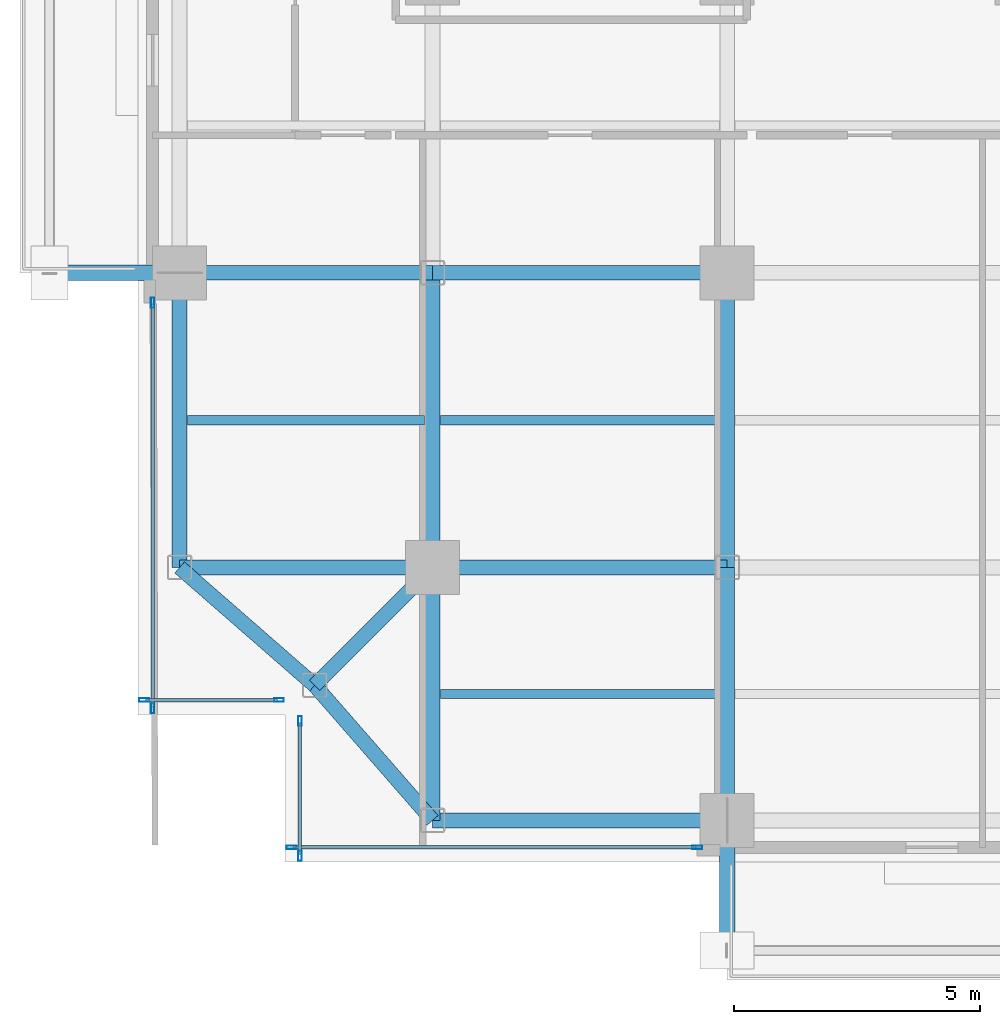
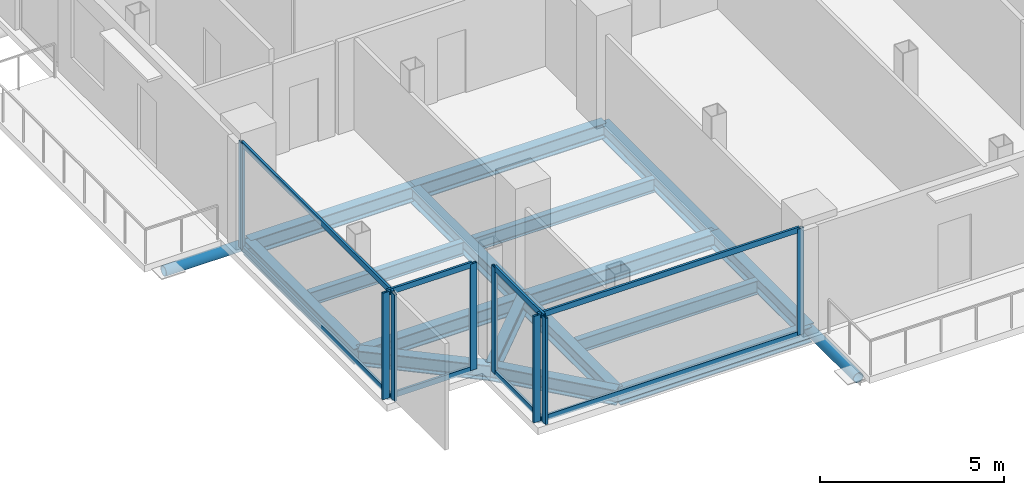
# One storey, part 2 of 26: 18 members, 16 beams, 4 elements without a shape of their own.
"""IFC4 building model written with IfcOpenShell, lengths in metres."""

from ifc_helpers import new_model, si_unit, direction, frame, origin, origin_2d, place, context, subcontext, project, spatial, hollow_rectangle, hollow_circle, i_section, extrude, material, layer, layer_set, material_profile, profile_set, type_object, element, aggregate, save


model = new_model("IFC4")

# Units and contexts
model_context = context("Model", 3, precision=1e-05, world=origin(), true_north=direction((0.0, 1.0)))
body_context = subcontext(model_context, "Body", "Model", "MODEL_VIEW")
ifc_project = project(units=[si_unit("LENGTHUNIT", "METRE"), si_unit("AREAUNIT", "SQUARE_METRE"), si_unit("VOLUMEUNIT", "CUBIC_METRE"), si_unit("PLANEANGLEUNIT", "RADIAN"), si_unit("MASSUNIT", "GRAM", prefix="KILO"), si_unit("THERMODYNAMICTEMPERATUREUNIT", "KELVIN"), si_unit("POWERUNIT", "WATT")], contexts=[model_context])

# Site, building, storey
site_placement = place(None, origin())
site = spatial("IfcSite", under=ifc_project, at=site_placement, CompositionType="ELEMENT")
building_placement = place(site_placement, origin())
building = spatial("IfcBuilding", under=site, at=building_placement, Name="Svarakhadi Broadcast Tower", CompositionType="ELEMENT")
storey_placement = place(building_placement, frame((0.0, 0.0, 99.60009765625)))
storey = spatial("IfcBuildingStorey", under=building, at=storey_placement, Name="L23", CompositionType="ELEMENT", Elevation=99.60009765625)

# Beams
ifc_material_1 = material(Name="Steel S355J2 (IS 2062 E350C)", Category="steel")
ifc_material_profile_1 = material_profile(ifc_material_1, i_section(OverallWidth=0.18994140625, OverallDepth=0.449951171875, WebThickness=0.009521484375, FlangeThickness=0.0146484375, FilletRadius=0.02099609375, at=origin_2d()), Name="NPB 450x190x78")
ifc_profile_set_1 = profile_set([ifc_material_profile_1], Name="Steel S355J2 (IS 2062 E350C)")
beam_type_1 = type_object("IfcBeamType", Name="Beam_NPB450", PredefinedType="BEAM", material=ifc_profile_set_1)
beam_1_placement = place(storey_placement, frame((1.010009765625, 9.0, -0.4501953125), z_axis=(1.0, 0.0, 0.0), x_axis=(0.0, 1.0, 0.0)))
element("IfcBeam", 1, at=beam_1_placement, inside=storey, type_object=beam_type_1, Name="L23 Secondary Composite Beam SB001", PredefinedType="BEAM", context=body_context, shape_type="SweptSolid", body=[
    extrude(i_section(OverallWidth=0.18994140625, OverallDepth=0.449951171875, WebThickness=0.009521484375, FlangeThickness=0.0146484375, FilletRadius=0.02099609375, at=origin_2d()), origin(), (0.0, 0.0, 1.0), 4.830078125),
])
for number, where, z_axis, x_axis, name in (
    (2, (6.159912109375, 3.425048828125, -0.4501953125), (1.0, 0.0, 0.0), (0.0, 1.0, 0.0), "L23 Secondary Composite Beam SB007"),
    (3, (6.159912109375, 9.0, -0.4501953125), (1.0, 0.0, 0.0), (0.0, 1.0, 0.0), "L23 Secondary Composite Beam SB008"),
):
    element("IfcBeam", number, at=place(storey_placement, frame(where, z_axis=z_axis, x_axis=x_axis)), inside=storey, type_object=beam_type_1, Name=name, PredefinedType="BEAM", context=body_context, shape_type="SweptSolid", body=[
        extrude(i_section(OverallWidth=0.18994140625, OverallDepth=0.449951171875, WebThickness=0.009521484375, FlangeThickness=0.0146484375, FilletRadius=0.02099609375, at=origin_2d()), origin(), (0.0, 0.0, 1.0), 5.68017578125),
    ])

# Curtain wall, members
ifc_material_2 = material(Name="Anodised Bronze Aluminium AA 6063-T6", Category="aluminium")
ifc_layer = layer(ifc_material_2, 0.199951171875)
ifc_layer_set = layer_set([ifc_layer], Name="Anodised Bronze Aluminium AA 6063-T6")
curtain_wall_type = type_object("IfcCurtainWallType", Name="CW_Sys_03", PredefinedType="NOTDEFINED", material=ifc_layer_set)
curtain_wall_1_placement = place(storey_placement, origin())
curtain_wall_1 = element("IfcCurtainWall", 4, at=curtain_wall_1_placement, inside=storey, type_object=curtain_wall_type, Name="L23 Unitised Facade Curtain Wall 01", PredefinedType="NOTDEFINED")
ifc_material_profile_2 = material_profile(ifc_material_2, hollow_rectangle(XDim=0.074951171875, YDim=0.199951171875, WallThickness=0.005615234375, at=origin_2d()), Name="ALU MULLION 200x75x6")
ifc_profile_set_2 = profile_set([ifc_material_profile_2], Name="Anodised Bronze Aluminium AA 6063-T6")
member_type_1 = type_object("IfcMemberType", Name="CW_Sys_03_Mul", PredefinedType="MULLION", material=ifc_profile_set_2)
member_1_placement = place(storey_placement, frame((2.87255859375, 3.300048828125, 0.0), z_axis=(0.0, 0.0, 1.0), x_axis=(0.0, -1.0, 0.0)))
member_1 = element("IfcMember", 5, at=member_1_placement, type_object=member_type_1, Name="CW-03 mullion 1", PredefinedType="MULLION", context=body_context, shape_type="SweptSolid", body=[
    extrude(hollow_rectangle(XDim=0.074951171875, YDim=0.199951171875, WallThickness=0.005615234375, at=origin_2d()), origin(), (0.0, 0.0, 1.0), 3.52490234375),
])
member_2_placement = place(storey_placement, frame((0.12744140625, 3.300048828125, 0.0), z_axis=(0.0, 0.0, 1.0), x_axis=(0.0, -1.0, 0.0)))
member_2 = element("IfcMember", 6, at=member_2_placement, type_object=member_type_1, Name="CW-03 mullion 2", PredefinedType="MULLION", context=body_context, shape_type="SweptSolid", body=[
    extrude(hollow_rectangle(XDim=0.074951171875, YDim=0.199951171875, WallThickness=0.005615234375, at=origin_2d()), origin(), (0.0, 0.0, 1.0), 3.52490234375),
])

curtain_wall_2_placement = place(storey_placement, origin())
curtain_wall_2 = element("IfcCurtainWall", 7, at=curtain_wall_2_placement, inside=storey, type_object=curtain_wall_type, Name="L23 West Curtain Wall 02", PredefinedType="NOTDEFINED")
member_3_placement = place(storey_placement, frame((0.300048828125, 3.12744140625, 0.0), z_axis=(0.0, 0.0, 1.0), x_axis=(-1.0, 0.0, 0.0)))
member_3 = element("IfcMember", 8, at=member_3_placement, type_object=member_type_1, Name="CW-03 mullion 1", PredefinedType="MULLION", context=body_context, shape_type="SweptSolid", body=[
    extrude(hollow_rectangle(XDim=0.074951171875, YDim=0.199951171875, WallThickness=0.005615234375, at=origin_2d()), origin(), (0.0, 0.0, 1.0), 3.52490234375),
])
member_4_placement = place(storey_placement, frame((0.300048828125, 11.392578125, 0.0), z_axis=(0.0, 0.0, 1.0), x_axis=(-1.0, 0.0, 0.0)))
member_4 = element("IfcMember", 9, at=member_4_placement, type_object=member_type_1, Name="CW-03 mullion 2", PredefinedType="MULLION", context=body_context, shape_type="SweptSolid", body=[
    extrude(hollow_rectangle(XDim=0.074951171875, YDim=0.199951171875, WallThickness=0.005615234375, at=origin_2d()), origin(), (0.0, 0.0, 1.0), 3.52490234375),
])

curtain_wall_3_placement = place(storey_placement, origin())
curtain_wall_3 = element("IfcCurtainWall", 10, at=curtain_wall_3_placement, inside=storey, type_object=curtain_wall_type, Name="L23 South Curtain Wall 15", PredefinedType="NOTDEFINED")
member_5_placement = place(storey_placement, frame((11.392578125, 0.300048828125, 0.0), z_axis=(0.0, 0.0, 1.0), x_axis=(0.0, -1.0, 0.0)))
member_5 = element("IfcMember", 11, at=member_5_placement, type_object=member_type_1, Name="CW-03 mullion 1", PredefinedType="MULLION", context=body_context, shape_type="SweptSolid", body=[
    extrude(hollow_rectangle(XDim=0.074951171875, YDim=0.199951171875, WallThickness=0.005615234375, at=origin_2d()), origin(), (0.0, 0.0, 1.0), 3.52490234375),
])
member_6_placement = place(storey_placement, frame((3.12744140625, 0.300048828125, 0.0), z_axis=(0.0, 0.0, 1.0), x_axis=(0.0, -1.0, 0.0)))
member_6 = element("IfcMember", 12, at=member_6_placement, type_object=member_type_1, Name="CW-03 mullion 2", PredefinedType="MULLION", context=body_context, shape_type="SweptSolid", body=[
    extrude(hollow_rectangle(XDim=0.074951171875, YDim=0.199951171875, WallThickness=0.005615234375, at=origin_2d()), origin(), (0.0, 0.0, 1.0), 3.52490234375),
])

curtain_wall_4_placement = place(storey_placement, origin())
curtain_wall_4 = element("IfcCurtainWall", 13, at=curtain_wall_4_placement, inside=storey, type_object=curtain_wall_type, Name="L23 Unitised Facade Curtain Wall 16", PredefinedType="NOTDEFINED")
member_7_placement = place(storey_placement, frame((3.300048828125, 0.12744140625, 0.0), z_axis=(0.0, 0.0, 1.0), x_axis=(-1.0, 0.0, 0.0)))
member_7 = element("IfcMember", 14, at=member_7_placement, type_object=member_type_1, Name="CW-03 mullion 1", PredefinedType="MULLION", context=body_context, shape_type="SweptSolid", body=[
    extrude(hollow_rectangle(XDim=0.074951171875, YDim=0.199951171875, WallThickness=0.005615234375, at=origin_2d()), origin(), (0.0, 0.0, 1.0), 3.52490234375),
])
member_8_placement = place(storey_placement, frame((3.300048828125, 2.87255859375, 0.0), z_axis=(0.0, 0.0, 1.0), x_axis=(-1.0, 0.0, 0.0)))
member_8 = element("IfcMember", 15, at=member_8_placement, type_object=member_type_1, Name="CW-03 mullion 2", PredefinedType="MULLION", context=body_context, shape_type="SweptSolid", body=[
    extrude(hollow_rectangle(XDim=0.074951171875, YDim=0.199951171875, WallThickness=0.005615234375, at=origin_2d()), origin(), (0.0, 0.0, 1.0), 3.52490234375),
])

# Member
ifc_material_profile_3 = material_profile(ifc_material_2, hollow_rectangle(XDim=0.070068359375, YDim=0.18505859375, WallThickness=0.0048828125, at=origin_2d()), Name="ALU TRANSOM 185x70x5")
ifc_profile_set_3 = profile_set([ifc_material_profile_3], Name="Anodised Bronze Aluminium AA 6063-T6")
member_type_2 = type_object("IfcMemberType", Name="CW_Sys_03_Trn", PredefinedType="USERDEFINED", material=ifc_profile_set_3)
member_9_placement = place(storey_placement, frame((2.8349609375, 3.300048828125, 0.034912109375), z_axis=(-1.0, 0.0, 0.0), x_axis=(0.0, -1.0, 0.0)))
member_9 = element("IfcMember", 16, at=member_9_placement, type_object=member_type_2, Name="CW-03 transom 1.1", ObjectType="TRANSOM", PredefinedType="USERDEFINED", context=body_context, shape_type="SweptSolid", body=[
    extrude(hollow_rectangle(XDim=0.070068359375, YDim=0.18505859375, WallThickness=0.0048828125, at=origin_2d()), origin(), (0.0, 0.0, 1.0), 2.669921875),
])

member_10_placement = place(storey_placement, frame((2.8349609375, 3.300048828125, 3.489990234375), z_axis=(-1.0, 0.0, 0.0), x_axis=(0.0, -1.0, 0.0)))
member_10 = element("IfcMember", 17, at=member_10_placement, type_object=member_type_2, Name="CW-03 transom 1.2", ObjectType="TRANSOM", PredefinedType="USERDEFINED", context=body_context, shape_type="SweptSolid", body=[
    extrude(hollow_rectangle(XDim=0.070068359375, YDim=0.18505859375, WallThickness=0.0048828125, at=origin_2d()), origin(), (0.0, 0.0, 1.0), 2.669921875),
])

aggregate(curtain_wall_1, [member_1, member_2, member_9, member_10])

member_11_placement = place(storey_placement, frame((0.300048828125, 3.1650390625, 0.034912109375), z_axis=(0.0, 1.0, 0.0), x_axis=(-1.0, 0.0, 0.0)))
member_11 = element("IfcMember", 18, at=member_11_placement, type_object=member_type_2, Name="CW-03 transom 1.1", ObjectType="TRANSOM", PredefinedType="USERDEFINED", context=body_context, shape_type="SweptSolid", body=[
    extrude(hollow_rectangle(XDim=0.070068359375, YDim=0.18505859375, WallThickness=0.0048828125, at=origin_2d()), origin(), (0.0, 0.0, 1.0), 8.18994140625),
])

member_12_placement = place(storey_placement, frame((0.300048828125, 3.1650390625, 3.489990234375), z_axis=(0.0, 1.0, 0.0), x_axis=(-1.0, 0.0, 0.0)))
member_12 = element("IfcMember", 19, at=member_12_placement, type_object=member_type_2, Name="CW-03 transom 1.2", ObjectType="TRANSOM", PredefinedType="USERDEFINED", context=body_context, shape_type="SweptSolid", body=[
    extrude(hollow_rectangle(XDim=0.070068359375, YDim=0.18505859375, WallThickness=0.0048828125, at=origin_2d()), origin(), (0.0, 0.0, 1.0), 8.18994140625),
])

aggregate(curtain_wall_2, [member_3, member_4, member_11, member_12])

member_13_placement = place(storey_placement, frame((11.35498046875, 0.300048828125, 0.034912109375), z_axis=(-1.0, 0.0, 0.0), x_axis=(0.0, -1.0, 0.0)))
member_13 = element("IfcMember", 20, at=member_13_placement, type_object=member_type_2, Name="CW-03 transom 1.1", ObjectType="TRANSOM", PredefinedType="USERDEFINED", context=body_context, shape_type="SweptSolid", body=[
    extrude(hollow_rectangle(XDim=0.070068359375, YDim=0.18505859375, WallThickness=0.0048828125, at=origin_2d()), origin(), (0.0, 0.0, 1.0), 8.18994140625),
])

member_14_placement = place(storey_placement, frame((11.35498046875, 0.300048828125, 3.489990234375), z_axis=(-1.0, 0.0, 0.0), x_axis=(0.0, -1.0, 0.0)))
member_14 = element("IfcMember", 21, at=member_14_placement, type_object=member_type_2, Name="CW-03 transom 1.2", ObjectType="TRANSOM", PredefinedType="USERDEFINED", context=body_context, shape_type="SweptSolid", body=[
    extrude(hollow_rectangle(XDim=0.070068359375, YDim=0.18505859375, WallThickness=0.0048828125, at=origin_2d()), origin(), (0.0, 0.0, 1.0), 8.18994140625),
])

aggregate(curtain_wall_3, [member_5, member_6, member_13, member_14])

member_15_placement = place(storey_placement, frame((3.300048828125, 0.1650390625, 0.034912109375), z_axis=(0.0, 1.0, 0.0), x_axis=(-1.0, 0.0, 0.0)))
member_15 = element("IfcMember", 22, at=member_15_placement, type_object=member_type_2, Name="CW-03 transom 1.1", ObjectType="TRANSOM", PredefinedType="USERDEFINED", context=body_context, shape_type="SweptSolid", body=[
    extrude(hollow_rectangle(XDim=0.070068359375, YDim=0.18505859375, WallThickness=0.0048828125, at=origin_2d()), origin(), (0.0, 0.0, 1.0), 2.669921875),
])

member_16_placement = place(storey_placement, frame((3.300048828125, 0.1650390625, 3.489990234375), z_axis=(0.0, 1.0, 0.0), x_axis=(-1.0, 0.0, 0.0)))
member_16 = element("IfcMember", 23, at=member_16_placement, type_object=member_type_2, Name="CW-03 transom 1.2", ObjectType="TRANSOM", PredefinedType="USERDEFINED", context=body_context, shape_type="SweptSolid", body=[
    extrude(hollow_rectangle(XDim=0.070068359375, YDim=0.18505859375, WallThickness=0.0048828125, at=origin_2d()), origin(), (0.0, 0.0, 1.0), 2.669921875),
])

aggregate(curtain_wall_4, [member_7, member_8, member_15, member_16])

# Members
ifc_material_3 = material(Name="Steel S460ML (IS 2062 E450BR)", Category="steel")
ifc_material_profile_4 = material_profile(ifc_material_3, hollow_circle(Radius=0.161865234375, WallThickness=0.01611328125, at=origin_2d()), Name="CHS 323.9x16")
ifc_profile_set_4 = profile_set([ifc_material_profile_4], Name="Steel S460ML (IS 2062 E450BR)")
member_type_3 = type_object("IfcMemberType", Name="Exo_Radial_Strut_Z2", PredefinedType="STRUT", material=ifc_profile_set_4)
for number, where, z_axis, x_axis, name in (
    (24, (12.0, -1.800048828125, -0.386962890625), (0.0, 1.0, 0.0), (-1.0, 0.0, 0.0), "L23 Exoskeleton Radial Tie Strut S01"),
    (25, (-1.800048828125, 12.0, -0.386962890625), (1.0, 0.0, 0.0), (0.0, 1.0, 0.0), "L23 Exoskeleton Radial Tie Strut W04"),
):
    element("IfcMember", number, at=place(storey_placement, frame(where, z_axis=z_axis, x_axis=x_axis)), inside=storey, type_object=member_type_3, Name=name, PredefinedType="STRUT", context=body_context, shape_type="SweptSolid", body=[
        extrude(hollow_circle(Radius=0.161865234375, WallThickness=0.01611328125, at=origin_2d()), origin(), (0.0, 0.0, 1.0), 2.650146484375),
    ])

# Beams
ifc_material_profile_5 = material_profile(ifc_material_1, i_section(OverallWidth=0.300048828125, OverallDepth=0.5, WebThickness=0.014404296875, FlangeThickness=0.028076171875, FilletRadius=0.027099609375, at=origin_2d()), Name="WPB 500x300x187")
ifc_profile_set_5 = profile_set([ifc_material_profile_5], Name="Steel S355J2 (IS 2062 E350C)")
beam_type_2 = type_object("IfcBeamType", Name="Girder_WPB500", PredefinedType="USERDEFINED", material=ifc_profile_set_5)
beam_2_placement = place(storey_placement, frame((3.60009765625, 3.60009765625, -0.47509765625), z_axis=(0.707106781187, 0.707106781187, 0.0), x_axis=(-0.707106781187, 0.707106781187, 0.0)))
element("IfcBeam", 26, at=beam_2_placement, inside=storey, type_object=beam_type_2, Name="L23 Corner Tie Girder G001", ObjectType="GIRDER", PredefinedType="USERDEFINED", context=body_context, shape_type="SweptSolid", body=[
    extrude(i_section(OverallWidth=0.300048828125, OverallDepth=0.5, WebThickness=0.014404296875, FlangeThickness=0.028076171875, FilletRadius=0.027099609375, at=origin_2d()), origin(), (0.0, 0.0, 1.0), 3.39404296875),
])
for number, where, z_axis, x_axis, name in (
    (27, (3.60009765625, 3.60009765625, -0.47509765625), (-0.753437912176, 0.657519058655, 0.0), (-0.657519058655, -0.753437912176, 0.0), "L23 Corner Tie Girder G002"),
    (28, (3.60009765625, 3.60009765625, -0.47509765625), (0.657519058655, -0.753437912176, 0.0), (0.753437912176, 0.657519058655, 0.0), "L23 Corner Tie Girder G003"),
):
    element("IfcBeam", number, at=place(storey_placement, frame(where, z_axis=z_axis, x_axis=x_axis)), inside=storey, type_object=beam_type_2, Name=name, ObjectType="GIRDER", PredefinedType="USERDEFINED", context=body_context, shape_type="SweptSolid", body=[
        extrude(i_section(OverallWidth=0.300048828125, OverallDepth=0.5, WebThickness=0.014404296875, FlangeThickness=0.028076171875, FilletRadius=0.027099609375, at=origin_2d()), origin(), (0.0, 0.0, 1.0), 3.64990234375),
    ])
beam_3_placement = place(storey_placement, frame((6.0, 0.85009765625, -0.47509765625), z_axis=(1.0, 0.0, 0.0), x_axis=(0.0, 1.0, 0.0)))
element("IfcBeam", 29, at=beam_3_placement, inside=storey, type_object=beam_type_2, Name="L23 Primary E-W Girder G004", ObjectType="GIRDER", PredefinedType="USERDEFINED", context=body_context, shape_type="SweptSolid", body=[
    extrude(i_section(OverallWidth=0.300048828125, OverallDepth=0.5, WebThickness=0.014404296875, FlangeThickness=0.028076171875, FilletRadius=0.027099609375, at=origin_2d()), origin(), (0.0, 0.0, 1.0), 6.0),
])
beam_4_placement = place(storey_placement, frame((0.85009765625, 6.0, -0.47509765625), z_axis=(1.0, 0.0, 0.0), x_axis=(0.0, 1.0, 0.0)))
element("IfcBeam", 30, at=beam_4_placement, inside=storey, type_object=beam_type_2, Name="L23 Primary E-W Girder G011", ObjectType="GIRDER", PredefinedType="USERDEFINED", context=body_context, shape_type="SweptSolid", body=[
    extrude(i_section(OverallWidth=0.300048828125, OverallDepth=0.5, WebThickness=0.014404296875, FlangeThickness=0.028076171875, FilletRadius=0.027099609375, at=origin_2d()), origin(), (0.0, 0.0, 1.0), 5.14990234375),
])
beam_5_placement = place(storey_placement, frame((6.0, 6.0, -0.47509765625), z_axis=(1.0, 0.0, 0.0), x_axis=(0.0, 1.0, 0.0)))
element("IfcBeam", 31, at=beam_5_placement, inside=storey, type_object=beam_type_2, Name="L23 Primary E-W Girder G012", ObjectType="GIRDER", PredefinedType="USERDEFINED", context=body_context, shape_type="SweptSolid", body=[
    extrude(i_section(OverallWidth=0.300048828125, OverallDepth=0.5, WebThickness=0.014404296875, FlangeThickness=0.028076171875, FilletRadius=0.027099609375, at=origin_2d()), origin(), (0.0, 0.0, 1.0), 6.0),
])
beam_6_placement = place(storey_placement, frame((0.85009765625, 12.0, -0.47509765625), z_axis=(1.0, 0.0, 0.0), x_axis=(0.0, 1.0, 0.0)))
element("IfcBeam", 32, at=beam_6_placement, inside=storey, type_object=beam_type_2, Name="L23 Primary E-W Girder G018", ObjectType="GIRDER", PredefinedType="USERDEFINED", context=body_context, shape_type="SweptSolid", body=[
    extrude(i_section(OverallWidth=0.300048828125, OverallDepth=0.5, WebThickness=0.014404296875, FlangeThickness=0.028076171875, FilletRadius=0.027099609375, at=origin_2d()), origin(), (0.0, 0.0, 1.0), 5.14990234375),
])
for number, where, z_axis, x_axis, name in (
    (33, (6.0, 12.0, -0.47509765625), (1.0, 0.0, 0.0), (0.0, 1.0, 0.0), "L23 Primary E-W Girder G019"),
    (34, (0.85009765625, 6.0, -0.47509765625), (0.0, 1.0, 0.0), (-1.0, 0.0, 0.0), "L23 Primary N-S Girder G042"),
):
    element("IfcBeam", number, at=place(storey_placement, frame(where, z_axis=z_axis, x_axis=x_axis)), inside=storey, type_object=beam_type_2, Name=name, ObjectType="GIRDER", PredefinedType="USERDEFINED", context=body_context, shape_type="SweptSolid", body=[
        extrude(i_section(OverallWidth=0.300048828125, OverallDepth=0.5, WebThickness=0.014404296875, FlangeThickness=0.028076171875, FilletRadius=0.027099609375, at=origin_2d()), origin(), (0.0, 0.0, 1.0), 6.0),
    ])
beam_7_placement = place(storey_placement, frame((6.0, 0.85009765625, -0.47509765625), z_axis=(0.0, 1.0, 0.0), x_axis=(-1.0, 0.0, 0.0)))
element("IfcBeam", 35, at=beam_7_placement, inside=storey, type_object=beam_type_2, Name="L23 Primary N-S Girder G048", ObjectType="GIRDER", PredefinedType="USERDEFINED", context=body_context, shape_type="SweptSolid", body=[
    extrude(i_section(OverallWidth=0.300048828125, OverallDepth=0.5, WebThickness=0.014404296875, FlangeThickness=0.028076171875, FilletRadius=0.027099609375, at=origin_2d()), origin(), (0.0, 0.0, 1.0), 5.14990234375),
])
beam_8_placement = place(storey_placement, frame((6.0, 6.0, -0.47509765625), z_axis=(0.0, 1.0, 0.0), x_axis=(-1.0, 0.0, 0.0)))
element("IfcBeam", 36, at=beam_8_placement, inside=storey, type_object=beam_type_2, Name="L23 Primary N-S Girder G049", ObjectType="GIRDER", PredefinedType="USERDEFINED", context=body_context, shape_type="SweptSolid", body=[
    extrude(i_section(OverallWidth=0.300048828125, OverallDepth=0.5, WebThickness=0.014404296875, FlangeThickness=0.028076171875, FilletRadius=0.027099609375, at=origin_2d()), origin(), (0.0, 0.0, 1.0), 6.0),
])
beam_9_placement = place(storey_placement, frame((12.0, 0.85009765625, -0.47509765625), z_axis=(0.0, 1.0, 0.0), x_axis=(-1.0, 0.0, 0.0)))
element("IfcBeam", 37, at=beam_9_placement, inside=storey, type_object=beam_type_2, Name="L23 Primary N-S Girder G054", ObjectType="GIRDER", PredefinedType="USERDEFINED", context=body_context, shape_type="SweptSolid", body=[
    extrude(i_section(OverallWidth=0.300048828125, OverallDepth=0.5, WebThickness=0.014404296875, FlangeThickness=0.028076171875, FilletRadius=0.027099609375, at=origin_2d()), origin(), (0.0, 0.0, 1.0), 5.14990234375),
])
beam_10_placement = place(storey_placement, frame((12.0, 6.0, -0.47509765625), z_axis=(0.0, 1.0, 0.0), x_axis=(-1.0, 0.0, 0.0)))
element("IfcBeam", 38, at=beam_10_placement, inside=storey, type_object=beam_type_2, Name="L23 Primary N-S Girder G055", ObjectType="GIRDER", PredefinedType="USERDEFINED", context=body_context, shape_type="SweptSolid", body=[
    extrude(i_section(OverallWidth=0.300048828125, OverallDepth=0.5, WebThickness=0.014404296875, FlangeThickness=0.028076171875, FilletRadius=0.027099609375, at=origin_2d()), origin(), (0.0, 0.0, 1.0), 6.0),
])

save(model, "model.ifc")
